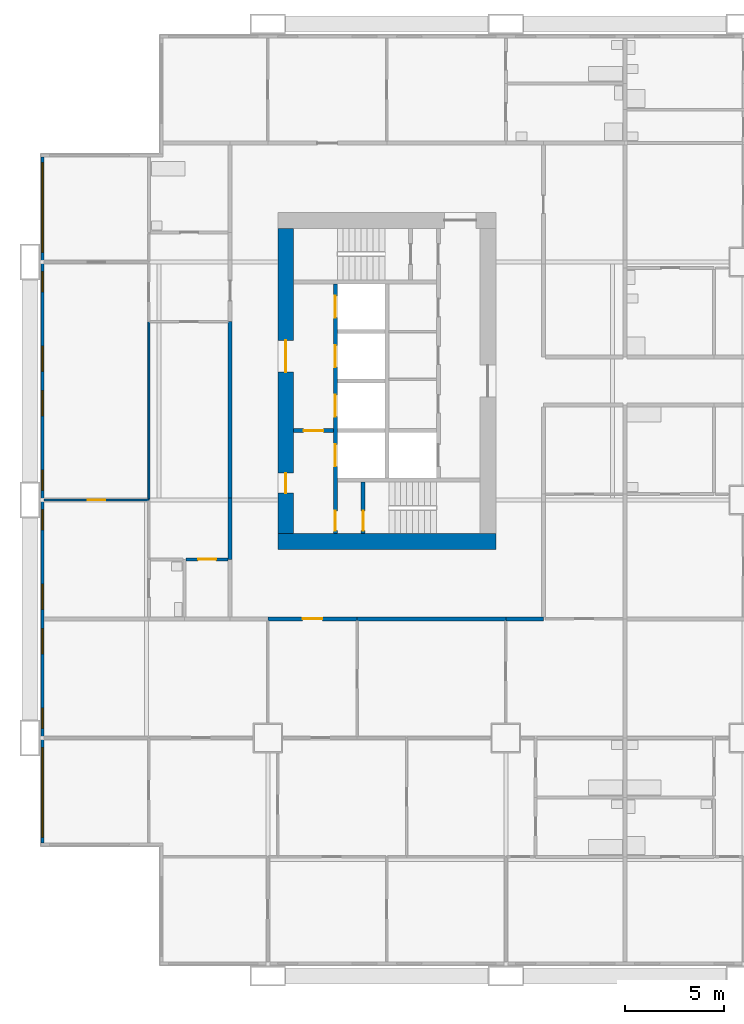
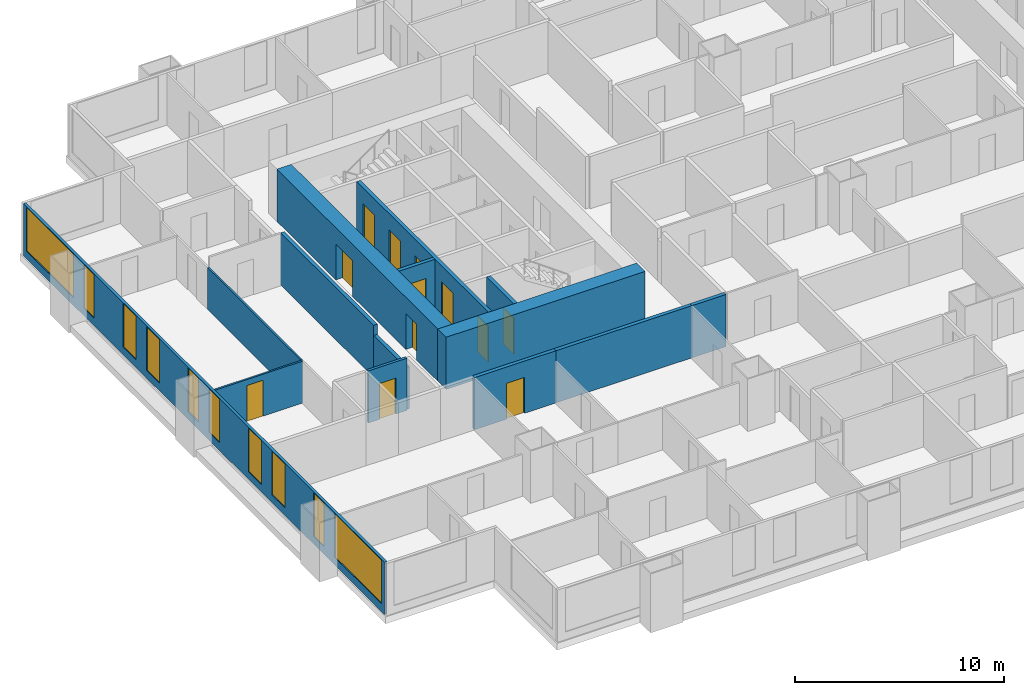
# One storey, part 3 of 14: 14 walls, 12 doors, 10 windows, 22 openings.
"""IFC4 building model written with IfcOpenShell, lengths in metres."""

from ifc_helpers import new_model, si_unit, direction, frame, frame_2d, origin, place, context, subcontext, project, spatial, rectangle, extrude, material, layer, layer_set, type_object, element, fill, save


model = new_model("IFC4")

# Units and contexts
model_context = context("Model", 3, precision=1e-05, world=origin(), true_north=direction((0.0, 1.0)))
body_context = subcontext(model_context, "Body", "Model", "MODEL_VIEW")
ifc_project = project(units=[si_unit("LENGTHUNIT", "METRE"), si_unit("AREAUNIT", "SQUARE_METRE"), si_unit("VOLUMEUNIT", "CUBIC_METRE"), si_unit("PLANEANGLEUNIT", "RADIAN"), si_unit("MASSUNIT", "GRAM", prefix="KILO")], contexts=[model_context])

# Site, building, storey
site_placement = place(None, origin())
site = spatial("IfcSite", under=ifc_project, at=site_placement, CompositionType="ELEMENT")
building_placement = place(site_placement, origin())
building = spatial("IfcBuilding", under=site, at=building_placement, Name="Kitamizu Gate Tower and Museum", CompositionType="ELEMENT")
storey_placement = place(building_placement, frame((0.0, 0.0, 43.800048828125)))
storey = spatial("IfcBuildingStorey", under=building, at=storey_placement, Name="L09", CompositionType="ELEMENT", Elevation=43.800048828125)

# Wall
ifc_material_1 = material(Name="Concrete Fc60", Category="concrete")
ifc_layer_1 = layer(ifc_material_1, 0.800048828125)
ifc_layer_set_1 = layer_set([ifc_layer_1], Name="Concrete Fc60")
wall_type_1 = type_object("IfcWallType", Name="Core wall 800", PredefinedType="SHEAR", material=ifc_layer_set_1)
wall_1_placement = place(storey_placement, frame((12.5, 21.89990234375, 0.0), z_axis=(0.0, 0.0, 1.0), x_axis=(1.0, 0.0, 0.0)))
element("IfcWall", 1, at=wall_1_placement, inside=storey, type_object=wall_type_1, Name="Core wall WS", PredefinedType="SHEAR", context=body_context, shape_type="SweptSolid", body=[
    extrude(rectangle(XDim=11.0, YDim=0.800048828125, at=frame_2d((5.5, 0.0))), origin(), (0.0, 0.0, 1.0), 3.050048828125),
])

# Wall, openings, doors
wall_2_placement = place(storey_placement, frame((12.89990234375, 22.300048828125, 0.0), z_axis=(0.0, 0.0, 1.0), x_axis=(0.0, 1.0, 0.0)))
wall_2 = element("IfcWall", 2, at=wall_2_placement, inside=storey, type_object=wall_type_1, Name="Core wall WOUT", PredefinedType="SHEAR", context=body_context, shape_type="SweptSolid", body=[
    extrude(rectangle(XDim=15.39990234375, YDim=0.800048828125, at=frame_2d((7.699951171875, 0.0))), origin(), (0.0, 0.0, 1.0), 3.050048828125),
])
opening_1_placement = place(wall_2_placement, frame((8.14990234375, 0.0, 0.0)))
opening_1 = element("IfcOpeningElement", 3, at=opening_1_placement, cuts=wall_2, Name="Opening L09-084", PredefinedType="OPENING", context=body_context, shape_type="SweptSolid", body=[
    extrude(rectangle(XDim=1.60009765625, YDim=2.10009765625, at=frame_2d((0.800048828125, 1.050048828125))), frame((0.0, 0.41015625, 0.0), z_axis=(0.0, -1.0, 0.0), x_axis=(1.0, 0.0, 0.0)), (0.0, 0.0, 1.0), 0.820068359375),
])
opening_2_placement = place(wall_2_placement, frame((2.050048828125, 0.0, 0.0)))
opening_2 = element("IfcOpeningElement", 4, at=opening_2_placement, cuts=wall_2, Name="Opening L09-085", PredefinedType="OPENING", context=body_context, shape_type="SweptSolid", body=[
    extrude(rectangle(XDim=1.0, YDim=2.10009765625, at=frame_2d((0.5, 1.050048828125))), frame((0.0, 0.41015625, 0.0), z_axis=(0.0, -1.0, 0.0), x_axis=(1.0, 0.0, 0.0)), (0.0, 0.0, 1.0), 0.820068359375),
])
ifc_material_2 = material(Name="Timber door set", Category="wood")
door_type_1 = type_object("IfcDoorType", Name="Entrance door 1600", OperationType="DOUBLE_DOOR_SINGLE_SWING", PredefinedType="DOOR", material=ifc_material_2)
door_1_placement = place(opening_1_placement, origin())
door_1 = element("IfcDoor", 5, at=door_1_placement, inside=storey, type_object=door_type_1, Name="Lobby door L09-084", OperationType="DOUBLE_DOOR_SINGLE_SWING", OverallHeight=2.10009765625, OverallWidth=1.60009765625, PredefinedType="DOOR", context=body_context, shape_type="SweptSolid", body=[
    extrude(rectangle(XDim=1.60009765625, YDim=2.10009765625, at=frame_2d((0.800048828125, 1.050048828125))), frame((0.0, 0.02490234375, 0.0), z_axis=(0.0, -1.0, 0.0), x_axis=(1.0, 0.0, 0.0)), (0.0, 0.0, 1.0), 0.050048828125),
])
fill(opening_1, door_1)
ifc_material_3 = material(Name="Hollow metal door set")
door_type_2 = type_object("IfcDoorType", Name="Fire door 1000", OperationType="NOTDEFINED", PredefinedType="DOOR", material=ifc_material_3)
door_2_placement = place(opening_2_placement, frame((1.0, 0.0, 0.0), x_axis=(-1.0, 0.0, 0.0)))
door_2 = element("IfcDoor", 6, at=door_2_placement, inside=storey, type_object=door_type_2, Name="Fire-fighting lobby door L09-085", OperationType="SINGLE_SWING_RIGHT", OverallHeight=2.10009765625, OverallWidth=1.0, PredefinedType="DOOR", context=body_context, shape_type="SweptSolid", body=[
    extrude(rectangle(XDim=1.0, YDim=2.10009765625, at=frame_2d((0.5, 1.050048828125))), frame((0.0, 0.02490234375, 0.0), z_axis=(0.0, -1.0, 0.0), x_axis=(1.0, 0.0, 0.0)), (0.0, 0.0, 1.0), 0.050048828125),
])
fill(opening_2, door_2)

# Wall, opening, door
ifc_material_4 = material(Name="Gypsum board on galvanised stud")
ifc_layer_2 = layer(ifc_material_4, 0.10009765625)
ifc_layer_set_2 = layer_set([ifc_layer_2], Name="Gypsum board on galvanised stud")
wall_type_2 = type_object("IfcWallType", Name="Partition 100 NOT RATED", PredefinedType="PARTITIONING", material=ifc_layer_set_2)
wall_3_placement = place(storey_placement, frame((6.0, 24.0, 0.0), z_axis=(0.0, 0.0, 1.0), x_axis=(-1.0, 0.0, 0.0)))
wall_3 = element("IfcWall", 7, at=wall_3_placement, inside=storey, type_object=wall_type_2, Name="Partition L09-134", PredefinedType="PARTITIONING", context=body_context, shape_type="SweptSolid", body=[
    extrude(rectangle(XDim=5.280029296875, YDim=0.10009765625, at=frame_2d((2.64013671875, 0.0))), origin(), (0.0, 0.0, 1.0), 2.449951171875),
])
opening_3_placement = place(wall_3_placement, frame((2.18994140625, 0.0, 0.0)))
opening_3 = element("IfcOpeningElement", 8, at=opening_3_placement, cuts=wall_3, Name="Opening L09-050", PredefinedType="OPENING", context=body_context, shape_type="SweptSolid", body=[
    extrude(rectangle(XDim=0.89990234375, YDim=2.10009765625, at=frame_2d((0.449951171875, 1.050048828125))), frame((0.0, 0.06005859375, 0.0), z_axis=(0.0, -1.0, 0.0), x_axis=(1.0, 0.0, 0.0)), (0.0, 0.0, 1.0), 0.1201171875),
])
ifc_material_5 = material(Name="Timber door set", Category="wood")
door_type_3 = type_object("IfcDoorType", Name="Room door 900", OperationType="NOTDEFINED", PredefinedType="DOOR", material=ifc_material_5)
door_3_placement = place(opening_3_placement, origin())
door_3 = element("IfcDoor", 9, at=door_3_placement, inside=storey, type_object=door_type_3, Name="Door L09-050", OperationType="SINGLE_SWING_RIGHT", OverallHeight=2.10009765625, OverallWidth=0.89990234375, PredefinedType="DOOR", context=body_context, shape_type="SweptSolid", body=[
    extrude(rectangle(XDim=0.89990234375, YDim=2.10009765625, at=frame_2d((0.449951171875, 1.050048828125))), frame((0.0, 0.02490234375, 0.0), z_axis=(0.0, -1.0, 0.0), x_axis=(1.0, 0.0, 0.0)), (0.0, 0.0, 1.0), 0.050048828125),
])
fill(opening_3, door_3)

# Wall
wall_4_placement = place(storey_placement, frame((6.0, 24.050048828125, 0.0), z_axis=(0.0, 0.0, 1.0), x_axis=(0.0, 1.0, 0.0)))
element("IfcWall", 10, at=wall_4_placement, inside=storey, type_object=wall_type_2, Name="Partition L09-138", PredefinedType="PARTITIONING", context=body_context, shape_type="SweptSolid", body=[
    extrude(rectangle(XDim=8.949951171875, YDim=0.10009765625, at=frame_2d((4.47509765625, 0.0))), origin(), (0.0, 0.0, 1.0), 2.449951171875),
])

# Wall, opening, door
ifc_material_6 = material(Name="Gypsum board on galvanised stud")
ifc_layer_3 = layer(ifc_material_6, 0.14990234375)
ifc_layer_set_3 = layer_set([ifc_layer_3], Name="Gypsum board on galvanised stud")
wall_type_3 = type_object("IfcWallType", Name="Partition 150", PredefinedType="PARTITIONING", material=ifc_layer_set_3)
wall_5_placement = place(storey_placement, frame((10.0, 21.0, 0.0), z_axis=(0.0, 0.0, 1.0), x_axis=(-1.0, 0.0, 0.0)))
wall_5 = element("IfcWall", 11, at=wall_5_placement, inside=storey, type_object=wall_type_3, Name="Partition L09-144", PredefinedType="PARTITIONING", context=body_context, shape_type="SweptSolid", body=[
    extrude(rectangle(XDim=2.125, YDim=0.14990234375, at=frame_2d((1.0625, 0.0))), origin(), (0.0, 0.0, 1.0), 3.050048828125),
])
opening_4_placement = place(wall_5_placement, frame((0.612548828125, 0.0, 0.0)))
opening_4 = element("IfcOpeningElement", 12, at=opening_4_placement, cuts=wall_5, Name="Opening L09-053", PredefinedType="OPENING", context=body_context, shape_type="SweptSolid", body=[
    extrude(rectangle(XDim=0.89990234375, YDim=2.10009765625, at=frame_2d((0.449951171875, 1.050048828125))), frame((0.0, 0.0849609375, 0.0), z_axis=(0.0, -1.0, 0.0), x_axis=(1.0, 0.0, 0.0)), (0.0, 0.0, 1.0), 0.169921875),
])
ifc_material_7 = material(Name="Timber door set", Category="wood")
door_type_4 = type_object("IfcDoorType", Name="Bathroom door 900", OperationType="NOTDEFINED", PredefinedType="DOOR", material=ifc_material_7)
door_4_placement = place(opening_4_placement, origin())
door_4 = element("IfcDoor", 13, at=door_4_placement, inside=storey, type_object=door_type_4, Name="Bathroom door L09-053", OperationType="SINGLE_SWING_LEFT", OverallHeight=2.10009765625, OverallWidth=0.89990234375, PredefinedType="DOOR", context=body_context, shape_type="SweptSolid", body=[
    extrude(rectangle(XDim=0.89990234375, YDim=2.10009765625, at=frame_2d((0.449951171875, 1.050048828125))), frame((0.0, 0.02490234375, 0.0), z_axis=(0.0, -1.0, 0.0), x_axis=(1.0, 0.0, 0.0)), (0.0, 0.0, 1.0), 0.050048828125),
])
fill(opening_4, door_4)

ifc_material_8 = material(Name="Gypsum board on galvanised stud")
ifc_layer_4 = layer(ifc_material_8, 0.199951171875)
ifc_layer_set_4 = layer_set([ifc_layer_4], Name="Gypsum board on galvanised stud")
wall_type_4 = type_object("IfcWallType", Name="Partition 200", PredefinedType="PARTITIONING", material=ifc_layer_set_4)
wall_6_placement = place(storey_placement, frame((16.5, 18.0, 0.0), z_axis=(0.0, 0.0, 1.0), x_axis=(-1.0, 0.0, 0.0)))
wall_6 = element("IfcWall", 14, at=wall_6_placement, inside=storey, type_object=wall_type_4, Name="Partition L09-033", PredefinedType="PARTITIONING", context=body_context, shape_type="SweptSolid", body=[
    extrude(rectangle(XDim=4.5, YDim=0.199951171875, at=frame_2d((2.25, 0.0))), origin(), (0.0, 0.0, 1.0), 3.050048828125),
])
opening_5_placement = place(wall_6_placement, frame((1.75, 0.0, 0.0)))
opening_5 = element("IfcOpeningElement", 15, at=opening_5_placement, cuts=wall_6, Name="Opening L09-001", PredefinedType="OPENING", context=body_context, shape_type="SweptSolid", body=[
    extrude(rectangle(XDim=1.0, YDim=2.10009765625, at=frame_2d((0.5, 1.050048828125))), frame((0.0, 0.10986328125, 0.0), z_axis=(0.0, -1.0, 0.0), x_axis=(1.0, 0.0, 0.0)), (0.0, 0.0, 1.0), 0.219970703125),
])
ifc_material_9 = material(Name="Timber door set", Category="wood")
door_type_5 = type_object("IfcDoorType", Name="Flat entrance door 1000", OperationType="NOTDEFINED", PredefinedType="DOOR", material=ifc_material_9)
door_5_placement = place(opening_5_placement, origin())
door_5 = element("IfcDoor", 16, at=door_5_placement, inside=storey, type_object=door_type_5, Name="Flat entrance door L09-001", OperationType="SINGLE_SWING_RIGHT", OverallHeight=2.10009765625, OverallWidth=1.0, PredefinedType="DOOR", context=body_context, shape_type="SweptSolid", body=[
    extrude(rectangle(XDim=1.0, YDim=2.10009765625, at=frame_2d((0.5, 1.050048828125))), frame((0.0, 0.02490234375, 0.0), z_axis=(0.0, -1.0, 0.0), x_axis=(1.0, 0.0, 0.0)), (0.0, 0.0, 1.0), 0.050048828125),
])
fill(opening_5, door_5)

# Walls
wall_7_placement = place(storey_placement, frame((24.0, 18.0, 0.0), z_axis=(0.0, 0.0, 1.0), x_axis=(-1.0, 0.0, 0.0)))
element("IfcWall", 17, at=wall_7_placement, inside=storey, type_object=wall_type_4, Name="Partition L09-035", PredefinedType="PARTITIONING", context=body_context, shape_type="SweptSolid", body=[
    extrude(rectangle(XDim=7.5, YDim=0.199951171875, at=frame_2d((3.75, 0.0))), origin(), (0.0, 0.0, 1.0), 3.050048828125),
])
wall_8_placement = place(storey_placement, frame((25.89990234375, 18.0, 0.0), z_axis=(0.0, 0.0, 1.0), x_axis=(-1.0, 0.0, 0.0)))
element("IfcWall", 18, at=wall_8_placement, inside=storey, type_object=wall_type_4, Name="Partition L09-038", PredefinedType="PARTITIONING", context=body_context, shape_type="SweptSolid", body=[
    extrude(rectangle(XDim=1.89990234375, YDim=0.199951171875, at=frame_2d((0.949951171875, 0.0))), origin(), (0.0, 0.0, 1.0), 3.050048828125),
])
wall_9_placement = place(storey_placement, frame((10.10009765625, 21.0, 0.0), z_axis=(0.0, 0.0, 1.0), x_axis=(0.0, 1.0, 0.0)))
element("IfcWall", 19, at=wall_9_placement, inside=storey, type_object=wall_type_4, Name="Partition L09-147", PredefinedType="PARTITIONING", context=body_context, shape_type="SweptSolid", body=[
    extrude(rectangle(XDim=3.10009765625, YDim=0.199951171875, at=frame_2d((1.550048828125, 0.0))), origin(), (0.0, 0.0, 1.0), 2.449951171875),
])
wall_10_placement = place(storey_placement, frame((10.10009765625, 24.10009765625, 0.0), z_axis=(0.0, 0.0, 1.0), x_axis=(0.0, 1.0, 0.0)))
element("IfcWall", 20, at=wall_10_placement, inside=storey, type_object=wall_type_4, Name="Partition L09-148", PredefinedType="PARTITIONING", context=body_context, shape_type="SweptSolid", body=[
    extrude(rectangle(XDim=8.89990234375, YDim=0.199951171875, at=frame_2d((4.449951171875, 0.0))), origin(), (0.0, 0.0, 1.0), 3.050048828125),
])

# Wall, openings, doors
ifc_material_10 = material(Name="Concrete Fc42", Category="concrete")
ifc_layer_5 = layer(ifc_material_10, 0.199951171875)
ifc_layer_set_5 = layer_set([ifc_layer_5], Name="Concrete Fc42")
wall_type_5 = type_object("IfcWallType", Name="Shaft wall 200", PredefinedType="SOLIDWALL", material=ifc_layer_set_5)
wall_11_placement = place(storey_placement, frame((15.39990234375, 22.300048828125, 0.0), z_axis=(0.0, 0.0, 1.0), x_axis=(0.0, 1.0, 0.0)))
wall_11 = element("IfcWall", 21, at=wall_11_placement, inside=storey, type_object=wall_type_5, Name="Shaft wall WWEST", PredefinedType="SOLIDWALL", context=body_context, shape_type="SweptSolid", body=[
    extrude(rectangle(XDim=12.599853515625, YDim=0.199951171875, at=frame_2d((6.2998046875, 0.0))), origin(), (0.0, 0.0, 1.0), 3.050048828125),
])
opening_6_placement = place(wall_11_placement, frame((3.39990234375, 0.0, 0.0)))
opening_6 = element("IfcOpeningElement", 22, at=opening_6_placement, cuts=wall_11, Name="Opening LD", PredefinedType="OPENING", context=body_context, shape_type="SweptSolid", body=[
    extrude(rectangle(XDim=1.10009765625, YDim=2.10009765625, at=frame_2d((0.550048828125, 1.050048828125))), frame((0.0, 0.10986328125, 0.0), z_axis=(0.0, -1.0, 0.0), x_axis=(1.0, 0.0, 0.0)), (0.0, 0.0, 1.0), 0.219970703125),
])
opening_7_placement = place(wall_11_placement, frame((5.89990234375, 0.0, 0.0)))
opening_7 = element("IfcOpeningElement", 23, at=opening_7_placement, cuts=wall_11, Name="Opening LD", PredefinedType="OPENING", context=body_context, shape_type="SweptSolid", body=[
    extrude(rectangle(XDim=1.10009765625, YDim=2.10009765625, at=frame_2d((0.550048828125, 1.050048828125))), frame((0.0, 0.10986328125, 0.0), z_axis=(0.0, -1.0, 0.0), x_axis=(1.0, 0.0, 0.0)), (0.0, 0.0, 1.0), 0.219970703125),
])
opening_8_placement = place(wall_11_placement, frame((8.39990234375, 0.0, 0.0)))
opening_8 = element("IfcOpeningElement", 24, at=opening_8_placement, cuts=wall_11, Name="Opening LD", PredefinedType="OPENING", context=body_context, shape_type="SweptSolid", body=[
    extrude(rectangle(XDim=1.10009765625, YDim=2.10009765625, at=frame_2d((0.550048828125, 1.050048828125))), frame((0.0, 0.10986328125, 0.0), z_axis=(0.0, -1.0, 0.0), x_axis=(1.0, 0.0, 0.0)), (0.0, 0.0, 1.0), 0.219970703125),
])
opening_9_placement = place(wall_11_placement, frame((10.89990234375, 0.0, 0.0)))
opening_9 = element("IfcOpeningElement", 25, at=opening_9_placement, cuts=wall_11, Name="Opening LD", PredefinedType="OPENING", context=body_context, shape_type="SweptSolid", body=[
    extrude(rectangle(XDim=1.10009765625, YDim=2.10009765625, at=frame_2d((0.550048828125, 1.050048828125))), frame((0.0, 0.10986328125, 0.0), z_axis=(0.0, -1.0, 0.0), x_axis=(1.0, 0.0, 0.0)), (0.0, 0.0, 1.0), 0.219970703125),
])
opening_10_placement = place(wall_11_placement, frame((0.14990234375, 0.0, 0.0)))
opening_10 = element("IfcOpeningElement", 26, at=opening_10_placement, cuts=wall_11, Name="Opening L09-080", PredefinedType="OPENING", context=body_context, shape_type="SweptSolid", body=[
    extrude(rectangle(XDim=1.0, YDim=2.10009765625, at=frame_2d((0.5, 1.050048828125))), frame((0.0, 0.10986328125, 0.0), z_axis=(0.0, -1.0, 0.0), x_axis=(1.0, 0.0, 0.0)), (0.0, 0.0, 1.0), 0.219970703125),
])
door_6_placement = place(opening_10_placement, frame((1.0, 0.0, 0.0), x_axis=(-1.0, 0.0, 0.0)))
door_6 = element("IfcDoor", 27, at=door_6_placement, inside=storey, type_object=door_type_2, Name="Stair lobby door L09-080", OperationType="SINGLE_SWING_LEFT", OverallHeight=2.10009765625, OverallWidth=1.0, PredefinedType="DOOR", context=body_context, shape_type="SweptSolid", body=[
    extrude(rectangle(XDim=1.0, YDim=2.10009765625, at=frame_2d((0.5, 1.050048828125))), frame((0.0, 0.02490234375, 0.0), z_axis=(0.0, -1.0, 0.0), x_axis=(1.0, 0.0, 0.0)), (0.0, 0.0, 1.0), 0.050048828125),
])
fill(opening_10, door_6)
ifc_material_11 = material(Name="Hollow metal door set")
door_type_6 = type_object("IfcDoorType", Name="Landing door 1100", OperationType="SLIDING_TO_LEFT", PredefinedType="DOOR", material=ifc_material_11)
door_7_placement = place(opening_6_placement, origin())
door_7 = element("IfcDoor", 28, at=door_7_placement, inside=storey, type_object=door_type_6, Name="Landing door WFF1", OperationType="SLIDING_TO_LEFT", OverallHeight=2.10009765625, OverallWidth=1.10009765625, PredefinedType="DOOR", context=body_context, shape_type="SweptSolid", body=[
    extrude(rectangle(XDim=1.10009765625, YDim=2.10009765625, at=frame_2d((0.550048828125, 1.050048828125))), frame((0.0, 0.02490234375, 0.0), z_axis=(0.0, -1.0, 0.0), x_axis=(1.0, 0.0, 0.0)), (0.0, 0.0, 1.0), 0.050048828125),
])
fill(opening_6, door_7)
door_8_placement = place(opening_7_placement, origin())
door_8 = element("IfcDoor", 29, at=door_8_placement, inside=storey, type_object=door_type_6, Name="Landing door WL1", OperationType="SLIDING_TO_LEFT", OverallHeight=2.10009765625, OverallWidth=1.10009765625, PredefinedType="DOOR", context=body_context, shape_type="SweptSolid", body=[
    extrude(rectangle(XDim=1.10009765625, YDim=2.10009765625, at=frame_2d((0.550048828125, 1.050048828125))), frame((0.0, 0.02490234375, 0.0), z_axis=(0.0, -1.0, 0.0), x_axis=(1.0, 0.0, 0.0)), (0.0, 0.0, 1.0), 0.050048828125),
])
fill(opening_7, door_8)
door_9_placement = place(opening_8_placement, origin())
door_9 = element("IfcDoor", 30, at=door_9_placement, inside=storey, type_object=door_type_6, Name="Landing door WL2", OperationType="SLIDING_TO_LEFT", OverallHeight=2.10009765625, OverallWidth=1.10009765625, PredefinedType="DOOR", context=body_context, shape_type="SweptSolid", body=[
    extrude(rectangle(XDim=1.10009765625, YDim=2.10009765625, at=frame_2d((0.550048828125, 1.050048828125))), frame((0.0, 0.02490234375, 0.0), z_axis=(0.0, -1.0, 0.0), x_axis=(1.0, 0.0, 0.0)), (0.0, 0.0, 1.0), 0.050048828125),
])
fill(opening_8, door_9)
door_10_placement = place(opening_9_placement, origin())
door_10 = element("IfcDoor", 31, at=door_10_placement, inside=storey, type_object=door_type_6, Name="Landing door WL3", OperationType="SLIDING_TO_LEFT", OverallHeight=2.10009765625, OverallWidth=1.10009765625, PredefinedType="DOOR", context=body_context, shape_type="SweptSolid", body=[
    extrude(rectangle(XDim=1.10009765625, YDim=2.10009765625, at=frame_2d((0.550048828125, 1.050048828125))), frame((0.0, 0.02490234375, 0.0), z_axis=(0.0, -1.0, 0.0), x_axis=(1.0, 0.0, 0.0)), (0.0, 0.0, 1.0), 0.050048828125),
])
fill(opening_9, door_10)

# Wall, opening, door
wall_12_placement = place(storey_placement, frame((13.300048828125, 27.5, 0.0), z_axis=(0.0, 0.0, 1.0), x_axis=(1.0, 0.0, 0.0)))
wall_12 = element("IfcWall", 32, at=wall_12_placement, inside=storey, type_object=wall_type_5, Name="Shaft wall WFFN", PredefinedType="SOLIDWALL", context=body_context, shape_type="SweptSolid", body=[
    extrude(rectangle(XDim=2.0, YDim=0.199951171875, at=frame_2d((1.0, 0.0))), origin(), (0.0, 0.0, 1.0), 3.050048828125),
])
opening_11_placement = place(wall_12_placement, frame((0.5, 0.0, 0.0)))
opening_11 = element("IfcOpeningElement", 33, at=opening_11_placement, cuts=wall_12, Name="Opening L09-083", PredefinedType="OPENING", context=body_context, shape_type="SweptSolid", body=[
    extrude(rectangle(XDim=1.0, YDim=2.10009765625, at=frame_2d((0.5, 1.050048828125))), frame((0.0, 0.10986328125, 0.0), z_axis=(0.0, -1.0, 0.0), x_axis=(1.0, 0.0, 0.0)), (0.0, 0.0, 1.0), 0.219970703125),
])
door_11_placement = place(opening_11_placement, frame((1.0, 0.0, 0.0), x_axis=(-1.0, 0.0, 0.0)))
door_11 = element("IfcDoor", 34, at=door_11_placement, inside=storey, type_object=door_type_2, Name="Fire-fighting lobby door L09-083", OperationType="SINGLE_SWING_LEFT", OverallHeight=2.10009765625, OverallWidth=1.0, PredefinedType="DOOR", context=body_context, shape_type="SweptSolid", body=[
    extrude(rectangle(XDim=1.0, YDim=2.10009765625, at=frame_2d((0.5, 1.050048828125))), frame((0.0, 0.02490234375, 0.0), z_axis=(0.0, -1.0, 0.0), x_axis=(1.0, 0.0, 0.0)), (0.0, 0.0, 1.0), 0.050048828125),
])
fill(opening_11, door_11)

wall_13_placement = place(storey_placement, frame((16.800048828125, 22.300048828125, 0.0), z_axis=(0.0, 0.0, 1.0), x_axis=(0.0, 1.0, 0.0)))
wall_13 = element("IfcWall", 35, at=wall_13_placement, inside=storey, type_object=wall_type_5, Name="Shaft wall WSZ", PredefinedType="SOLIDWALL", context=body_context, shape_type="SweptSolid", body=[
    extrude(rectangle(XDim=2.599853515625, YDim=0.199951171875, at=frame_2d((1.2998046875, 0.0))), origin(), (0.0, 0.0, 1.0), 3.050048828125),
])
opening_12_placement = place(wall_13_placement, frame((0.14990234375, 0.0, 0.0)))
opening_12 = element("IfcOpeningElement", 36, at=opening_12_placement, cuts=wall_13, Name="Opening L09-079", PredefinedType="OPENING", context=body_context, shape_type="SweptSolid", body=[
    extrude(rectangle(XDim=1.0, YDim=2.10009765625, at=frame_2d((0.5, 1.050048828125))), frame((0.0, 0.10986328125, 0.0), z_axis=(0.0, -1.0, 0.0), x_axis=(1.0, 0.0, 0.0)), (0.0, 0.0, 1.0), 0.219970703125),
])
door_12_placement = place(opening_12_placement, frame((1.0, 0.0, 0.0), x_axis=(-1.0, 0.0, 0.0)))
door_12 = element("IfcDoor", 37, at=door_12_placement, inside=storey, type_object=door_type_2, Name="Stair door L09-079", OperationType="SINGLE_SWING_LEFT", OverallHeight=2.10009765625, OverallWidth=1.0, PredefinedType="DOOR", context=body_context, shape_type="SweptSolid", body=[
    extrude(rectangle(XDim=1.0, YDim=2.10009765625, at=frame_2d((0.5, 1.050048828125))), frame((0.0, 0.02490234375, 0.0), z_axis=(0.0, -1.0, 0.0), x_axis=(1.0, 0.0, 0.0)), (0.0, 0.0, 1.0), 0.050048828125),
])
fill(opening_12, door_12)

# Wall, openings, windows
ifc_material_12 = material(Name="Bronze anodised aluminium frame with insulated spandrel and tinted glass", Category="aluminium")
ifc_layer_6 = layer(ifc_material_12, 0.14990234375)
ifc_layer_set_6 = layer_set([ifc_layer_6], Name="Bronze anodised aluminium frame with insulated spandrel and tinted glass")
wall_type_6 = type_object("IfcWallType", Name="WINDOW WALL 150 BRONZE FRAME EI 30", PredefinedType="ELEMENTEDWALL", material=ifc_layer_set_6)
wall_14_placement = place(storey_placement, frame((0.635009765625, 6.7099609375, 0.0), z_axis=(0.0, 0.0, 1.0), x_axis=(0.0, 1.0, 0.0)))
wall_14 = element("IfcWall", 38, at=wall_14_placement, inside=storey, type_object=wall_type_6, Name="Window wall west L09", PredefinedType="ELEMENTEDWALL", context=body_context, shape_type="SweptSolid", body=[
    extrude(rectangle(XDim=34.580078125, YDim=0.14990234375, at=frame_2d((17.2900390625, 0.0))), origin(), (0.0, 0.0, 1.0), 3.050048828125),
])
opening_13_placement = place(wall_14_placement, frame((0.2900390625, 0.0, 0.449951171875)))
opening_13 = element("IfcOpeningElement", 39, at=opening_13_placement, cuts=wall_14, Name="Opening W15", PredefinedType="OPENING", context=body_context, shape_type="SweptSolid", body=[
    extrude(rectangle(XDim=4.5, YDim=2.550048828125, at=frame_2d((2.25, 1.27490234375))), frame((0.0, 0.0849609375, 0.0), z_axis=(0.0, -1.0, 0.0), x_axis=(1.0, 0.0, 0.0)), (0.0, 0.0, 1.0), 0.169921875),
])
opening_14_placement = place(wall_14_placement, frame((5.7900390625, 0.0, 0.449951171875)))
opening_14 = element("IfcOpeningElement", 40, at=opening_14_placement, cuts=wall_14, Name="Opening W26", PredefinedType="OPENING", context=body_context, shape_type="SweptSolid", body=[
    extrude(rectangle(XDim=1.0, YDim=2.550048828125, at=frame_2d((0.5, 1.27490234375))), frame((0.0, 0.0849609375, 0.0), z_axis=(0.0, -1.0, 0.0), x_axis=(1.0, 0.0, 0.0)), (0.0, 0.0, 1.0), 0.169921875),
])
opening_15_placement = place(wall_14_placement, frame((9.5400390625, 0.0, 0.449951171875)))
opening_15 = element("IfcOpeningElement", 41, at=opening_15_placement, cuts=wall_14, Name="Opening W27", PredefinedType="OPENING", context=body_context, shape_type="SweptSolid", body=[
    extrude(rectangle(XDim=1.25, YDim=2.550048828125, at=frame_2d((0.625, 1.27490234375))), frame((0.0, 0.0849609375, 0.0), z_axis=(0.0, -1.0, 0.0), x_axis=(1.0, 0.0, 0.0)), (0.0, 0.0, 1.0), 0.169921875),
])
opening_16_placement = place(wall_14_placement, frame((11.7900390625, 0.0, 0.449951171875)))
opening_16 = element("IfcOpeningElement", 42, at=opening_16_placement, cuts=wall_14, Name="Opening W27", PredefinedType="OPENING", context=body_context, shape_type="SweptSolid", body=[
    extrude(rectangle(XDim=1.25, YDim=2.550048828125, at=frame_2d((0.625, 1.27490234375))), frame((0.0, 0.0849609375, 0.0), z_axis=(0.0, -1.0, 0.0), x_axis=(1.0, 0.0, 0.0)), (0.0, 0.0, 1.0), 0.169921875),
])
opening_17_placement = place(wall_14_placement, frame((15.7900390625, 0.0, 0.449951171875)))
opening_17 = element("IfcOpeningElement", 43, at=opening_17_placement, cuts=wall_14, Name="Opening W26", PredefinedType="OPENING", context=body_context, shape_type="SweptSolid", body=[
    extrude(rectangle(XDim=1.0, YDim=2.550048828125, at=frame_2d((0.5, 1.27490234375))), frame((0.0, 0.0849609375, 0.0), z_axis=(0.0, -1.0, 0.0), x_axis=(1.0, 0.0, 0.0)), (0.0, 0.0, 1.0), 0.169921875),
])
opening_18_placement = place(wall_14_placement, frame((17.7900390625, 0.0, 0.449951171875)))
opening_18 = element("IfcOpeningElement", 44, at=opening_18_placement, cuts=wall_14, Name="Opening W26", PredefinedType="OPENING", context=body_context, shape_type="SweptSolid", body=[
    extrude(rectangle(XDim=1.0, YDim=2.550048828125, at=frame_2d((0.5, 1.27490234375))), frame((0.0, 0.0849609375, 0.0), z_axis=(0.0, -1.0, 0.0), x_axis=(1.0, 0.0, 0.0)), (0.0, 0.0, 1.0), 0.169921875),
])
opening_19_placement = place(wall_14_placement, frame((21.5400390625, 0.0, 0.449951171875)))
opening_19 = element("IfcOpeningElement", 45, at=opening_19_placement, cuts=wall_14, Name="Opening W27", PredefinedType="OPENING", context=body_context, shape_type="SweptSolid", body=[
    extrude(rectangle(XDim=1.25, YDim=2.550048828125, at=frame_2d((0.625, 1.27490234375))), frame((0.0, 0.0849609375, 0.0), z_axis=(0.0, -1.0, 0.0), x_axis=(1.0, 0.0, 0.0)), (0.0, 0.0, 1.0), 0.169921875),
])
opening_20_placement = place(wall_14_placement, frame((23.7900390625, 0.0, 0.449951171875)))
opening_20 = element("IfcOpeningElement", 46, at=opening_20_placement, cuts=wall_14, Name="Opening W27", PredefinedType="OPENING", context=body_context, shape_type="SweptSolid", body=[
    extrude(rectangle(XDim=1.25, YDim=2.550048828125, at=frame_2d((0.625, 1.27490234375))), frame((0.0, 0.0849609375, 0.0), z_axis=(0.0, -1.0, 0.0), x_axis=(1.0, 0.0, 0.0)), (0.0, 0.0, 1.0), 0.169921875),
])
opening_21_placement = place(wall_14_placement, frame((27.7900390625, 0.0, 0.449951171875)))
opening_21 = element("IfcOpeningElement", 47, at=opening_21_placement, cuts=wall_14, Name="Opening W26", PredefinedType="OPENING", context=body_context, shape_type="SweptSolid", body=[
    extrude(rectangle(XDim=1.0, YDim=2.550048828125, at=frame_2d((0.5, 1.27490234375))), frame((0.0, 0.0849609375, 0.0), z_axis=(0.0, -1.0, 0.0), x_axis=(1.0, 0.0, 0.0)), (0.0, 0.0, 1.0), 0.169921875),
])
opening_22_placement = place(wall_14_placement, frame((29.7900390625, 0.0, 0.449951171875)))
opening_22 = element("IfcOpeningElement", 48, at=opening_22_placement, cuts=wall_14, Name="Opening W15", PredefinedType="OPENING", context=body_context, shape_type="SweptSolid", body=[
    extrude(rectangle(XDim=4.5, YDim=2.550048828125, at=frame_2d((2.25, 1.27490234375))), frame((0.0, 0.0849609375, 0.0), z_axis=(0.0, -1.0, 0.0), x_axis=(1.0, 0.0, 0.0)), (0.0, 0.0, 1.0), 0.169921875),
])
ifc_material_13 = material(Name="Bronze anodised aluminium frame, tinted triple glazing", Category="aluminium")
window_type_1 = type_object("IfcWindowType", Name="WINDOW 1000 x 2550 SILL 450", PartitioningType="SINGLE_PANEL", PredefinedType="WINDOW", material=ifc_material_13)
window_1_placement = place(opening_14_placement, origin())
window_1 = element("IfcWindow", 49, at=window_1_placement, inside=storey, type_object=window_type_1, Name="Window W26 L09", OverallHeight=2.550048828125, OverallWidth=1.0, PartitioningType="SINGLE_PANEL", PredefinedType="WINDOW", context=body_context, shape_type="SweptSolid", body=[
    extrude(rectangle(XDim=1.0, YDim=2.550048828125, at=frame_2d((0.5, 1.27490234375))), frame((0.0, 0.030029296875, 0.0), z_axis=(0.0, -1.0, 0.0), x_axis=(1.0, 0.0, 0.0)), (0.0, 0.0, 1.0), 0.06005859375),
])
fill(opening_14, window_1)
window_2_placement = place(opening_17_placement, origin())
window_2 = element("IfcWindow", 50, at=window_2_placement, inside=storey, type_object=window_type_1, Name="Window W26 L09", OverallHeight=2.550048828125, OverallWidth=1.0, PartitioningType="SINGLE_PANEL", PredefinedType="WINDOW", context=body_context, shape_type="SweptSolid", body=[
    extrude(rectangle(XDim=1.0, YDim=2.550048828125, at=frame_2d((0.5, 1.27490234375))), frame((0.0, 0.030029296875, 0.0), z_axis=(0.0, -1.0, 0.0), x_axis=(1.0, 0.0, 0.0)), (0.0, 0.0, 1.0), 0.06005859375),
])
fill(opening_17, window_2)
window_3_placement = place(opening_18_placement, origin())
window_3 = element("IfcWindow", 51, at=window_3_placement, inside=storey, type_object=window_type_1, Name="Window W26 L09", OverallHeight=2.550048828125, OverallWidth=1.0, PartitioningType="SINGLE_PANEL", PredefinedType="WINDOW", context=body_context, shape_type="SweptSolid", body=[
    extrude(rectangle(XDim=1.0, YDim=2.550048828125, at=frame_2d((0.5, 1.27490234375))), frame((0.0, 0.030029296875, 0.0), z_axis=(0.0, -1.0, 0.0), x_axis=(1.0, 0.0, 0.0)), (0.0, 0.0, 1.0), 0.06005859375),
])
fill(opening_18, window_3)
window_4_placement = place(opening_21_placement, origin())
window_4 = element("IfcWindow", 52, at=window_4_placement, inside=storey, type_object=window_type_1, Name="Window W26 L09", OverallHeight=2.550048828125, OverallWidth=1.0, PartitioningType="SINGLE_PANEL", PredefinedType="WINDOW", context=body_context, shape_type="SweptSolid", body=[
    extrude(rectangle(XDim=1.0, YDim=2.550048828125, at=frame_2d((0.5, 1.27490234375))), frame((0.0, 0.030029296875, 0.0), z_axis=(0.0, -1.0, 0.0), x_axis=(1.0, 0.0, 0.0)), (0.0, 0.0, 1.0), 0.06005859375),
])
fill(opening_21, window_4)
ifc_material_14 = material(Name="Bronze anodised aluminium frame, tinted triple glazing", Category="aluminium")
window_type_2 = type_object("IfcWindowType", Name="WINDOW 1250 x 2550 SILL 450", PartitioningType="SINGLE_PANEL", PredefinedType="WINDOW", material=ifc_material_14)
window_5_placement = place(opening_15_placement, origin())
window_5 = element("IfcWindow", 53, at=window_5_placement, inside=storey, type_object=window_type_2, Name="Window W27 L09", OverallHeight=2.550048828125, OverallWidth=1.25, PartitioningType="SINGLE_PANEL", PredefinedType="WINDOW", context=body_context, shape_type="SweptSolid", body=[
    extrude(rectangle(XDim=1.25, YDim=2.550048828125, at=frame_2d((0.625, 1.27490234375))), frame((0.0, 0.030029296875, 0.0), z_axis=(0.0, -1.0, 0.0), x_axis=(1.0, 0.0, 0.0)), (0.0, 0.0, 1.0), 0.06005859375),
])
fill(opening_15, window_5)
window_6_placement = place(opening_16_placement, origin())
window_6 = element("IfcWindow", 54, at=window_6_placement, inside=storey, type_object=window_type_2, Name="Window W27 L09", OverallHeight=2.550048828125, OverallWidth=1.25, PartitioningType="SINGLE_PANEL", PredefinedType="WINDOW", context=body_context, shape_type="SweptSolid", body=[
    extrude(rectangle(XDim=1.25, YDim=2.550048828125, at=frame_2d((0.625, 1.27490234375))), frame((0.0, 0.030029296875, 0.0), z_axis=(0.0, -1.0, 0.0), x_axis=(1.0, 0.0, 0.0)), (0.0, 0.0, 1.0), 0.06005859375),
])
fill(opening_16, window_6)
window_7_placement = place(opening_19_placement, origin())
window_7 = element("IfcWindow", 55, at=window_7_placement, inside=storey, type_object=window_type_2, Name="Window W27 L09", OverallHeight=2.550048828125, OverallWidth=1.25, PartitioningType="SINGLE_PANEL", PredefinedType="WINDOW", context=body_context, shape_type="SweptSolid", body=[
    extrude(rectangle(XDim=1.25, YDim=2.550048828125, at=frame_2d((0.625, 1.27490234375))), frame((0.0, 0.030029296875, 0.0), z_axis=(0.0, -1.0, 0.0), x_axis=(1.0, 0.0, 0.0)), (0.0, 0.0, 1.0), 0.06005859375),
])
fill(opening_19, window_7)
window_8_placement = place(opening_20_placement, origin())
window_8 = element("IfcWindow", 56, at=window_8_placement, inside=storey, type_object=window_type_2, Name="Window W27 L09", OverallHeight=2.550048828125, OverallWidth=1.25, PartitioningType="SINGLE_PANEL", PredefinedType="WINDOW", context=body_context, shape_type="SweptSolid", body=[
    extrude(rectangle(XDim=1.25, YDim=2.550048828125, at=frame_2d((0.625, 1.27490234375))), frame((0.0, 0.030029296875, 0.0), z_axis=(0.0, -1.0, 0.0), x_axis=(1.0, 0.0, 0.0)), (0.0, 0.0, 1.0), 0.06005859375),
])
fill(opening_20, window_8)
ifc_material_15 = material(Name="Bronze anodised aluminium frame, tinted triple glazing", Category="aluminium")
window_type_3 = type_object("IfcWindowType", Name="WINDOW 4500 x 2550 SILL 450", PartitioningType="SINGLE_PANEL", PredefinedType="WINDOW", material=ifc_material_15)
window_9_placement = place(opening_13_placement, origin())
window_9 = element("IfcWindow", 57, at=window_9_placement, inside=storey, type_object=window_type_3, Name="Window W15 L09", OverallHeight=2.550048828125, OverallWidth=4.5, PartitioningType="SINGLE_PANEL", PredefinedType="WINDOW", context=body_context, shape_type="SweptSolid", body=[
    extrude(rectangle(XDim=4.5, YDim=2.550048828125, at=frame_2d((2.25, 1.27490234375))), frame((0.0, 0.030029296875, 0.0), z_axis=(0.0, -1.0, 0.0), x_axis=(1.0, 0.0, 0.0)), (0.0, 0.0, 1.0), 0.06005859375),
])
fill(opening_13, window_9)
window_10_placement = place(opening_22_placement, origin())
window_10 = element("IfcWindow", 58, at=window_10_placement, inside=storey, type_object=window_type_3, Name="Window W15 L09", OverallHeight=2.550048828125, OverallWidth=4.5, PartitioningType="SINGLE_PANEL", PredefinedType="WINDOW", context=body_context, shape_type="SweptSolid", body=[
    extrude(rectangle(XDim=4.5, YDim=2.550048828125, at=frame_2d((2.25, 1.27490234375))), frame((0.0, 0.030029296875, 0.0), z_axis=(0.0, -1.0, 0.0), x_axis=(1.0, 0.0, 0.0)), (0.0, 0.0, 1.0), 0.06005859375),
])
fill(opening_22, window_10)

save(model, "model.ifc")
